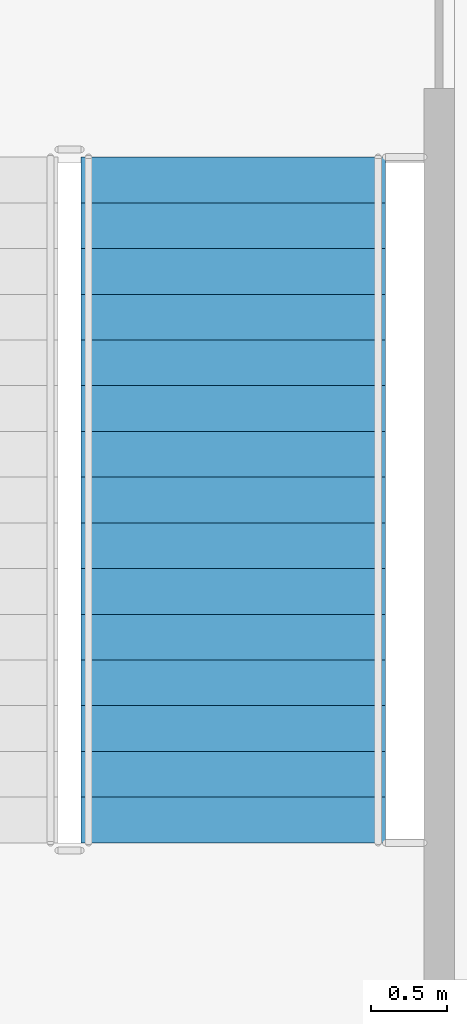
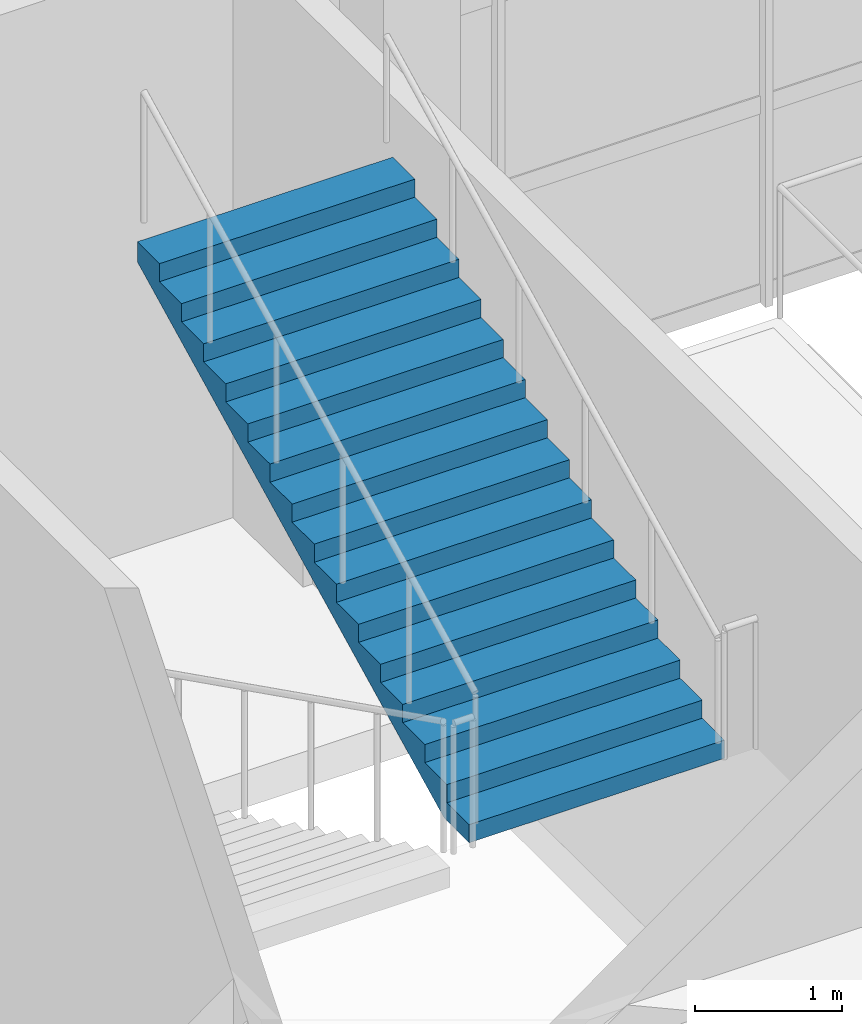
# One storey, part 57 of 67: 1 stair flight, 1 element without a shape of its own.
"""IFC4 building model written with IfcOpenShell, lengths in metres."""

from ifc_helpers import new_model, si_unit, direction, frame, origin, place, context, subcontext, project, spatial, faceted_brep, material, type_object, element, aggregate, save


model = new_model("IFC4")

# Units and contexts
model_context = context("Model", 3, precision=1e-05, world=origin(), true_north=direction((0.0, 1.0)))
body_context = subcontext(model_context, "Body", "Model", "MODEL_VIEW")
ifc_project = project(units=[si_unit("LENGTHUNIT", "METRE"), si_unit("AREAUNIT", "SQUARE_METRE"), si_unit("VOLUMEUNIT", "CUBIC_METRE"), si_unit("PLANEANGLEUNIT", "RADIAN"), si_unit("MASSUNIT", "GRAM", prefix="KILO")], contexts=[model_context])

# Site, building, storey
site_placement = place(None, origin())
site = spatial("IfcSite", under=ifc_project, at=site_placement, CompositionType="ELEMENT")
building_placement = place(site_placement, origin())
building = spatial("IfcBuilding", under=site, at=building_placement, Name="Kiln Court Media Centre", CompositionType="ELEMENT")
storey_placement = place(building_placement, frame((0.0, 0.0, 19.800048828125)))
storey = spatial("IfcBuildingStorey", under=building, at=storey_placement, Name="L04", CompositionType="ELEMENT", Elevation=19.800048828125)

# Stair, stair flight
ifc_material_1 = material(Name="Concrete C40/50", Category="concrete")
stair_type = type_object("IfcStairType", Name="Concrete C40/50 dog-leg stair 2000 wide, 150 riser", PredefinedType="HALF_TURN_STAIR", material=ifc_material_1)
stair_placement = place(storey_placement, origin())
stair = element("IfcStair", 1, at=stair_placement, inside=storey, type_object=stair_type, Name="ST-08 L04", PredefinedType="HALF_TURN_STAIR")
ifc_material_2 = material(Name="Concrete C40/50", Category="concrete")
stair_flight_type = type_object("IfcStairFlightType", Name="Concrete C40/50 stair flight 2000 wide, 150 riser, 300 going", PredefinedType="STRAIGHT", material=ifc_material_2)
stair_flight_placement = place(storey_placement, frame((32.14990234375, 59.89990234375, 2.39990234375), z_axis=(0.0, 0.0, 1.0), x_axis=(0.0, 1.0, 0.0)))
stair_flight = element("IfcStairFlight", 2, at=stair_flight_placement, type_object=stair_flight_type, Name="L04-ST-5005 flight 5011", NumberOfRisers=16, NumberOfTreads=15, PredefinedType="STRAIGHT", RiserHeight=0.15, TreadLength=0.3, context=body_context, shape_type="Brep", body=[
    faceted_brep([(0.335205078125, -1.0, 0.0), (4.5, -1.0, 2.08251953125), (4.5, -1.0, 2.25), (4.199951171875, -1.0, 2.25), (4.199951171875, -1.0, 2.10009765625), (3.89990234375, -1.0, 2.10009765625), (3.89990234375, -1.0, 1.949951171875), (3.60009765625, -1.0, 1.949951171875), (3.60009765625, -1.0, 1.800048828125), (3.300048828125, -1.0, 1.800048828125), (3.300048828125, -1.0, 1.64990234375), (3.0, -1.0, 1.64990234375), (3.0, -1.0, 1.5), (2.699951171875, -1.0, 1.5), (2.699951171875, -1.0, 1.35009765625), (2.39990234375, -1.0, 1.35009765625), (2.39990234375, -1.0, 1.199951171875), (2.10009765625, -1.0, 1.199951171875), (2.10009765625, -1.0, 1.050048828125), (1.800048828125, -1.0, 1.050048828125), (1.800048828125, -1.0, 0.89990234375), (1.5, -1.0, 0.89990234375), (1.5, -1.0, 0.75), (1.199951171875, -1.0, 0.75), (1.199951171875, -1.0, 0.60009765625), (0.89990234375, -1.0, 0.60009765625), (0.89990234375, -1.0, 0.449951171875), (0.60009765625, -1.0, 0.449951171875), (0.60009765625, -1.0, 0.300048828125), (0.300048828125, -1.0, 0.300048828125), (0.300048828125, -1.0, 0.14990234375), (0.0, -1.0, 0.14990234375), (0.0, -1.0, 0.0), (0.0, 1.0, 0.0), (0.0, 1.0, 0.14990234375), (0.300048828125, 1.0, 0.14990234375), (0.300048828125, 1.0, 0.300048828125), (0.60009765625, 1.0, 0.300048828125), (0.60009765625, 1.0, 0.449951171875), (0.89990234375, 1.0, 0.449951171875), (0.89990234375, 1.0, 0.60009765625), (1.199951171875, 1.0, 0.60009765625), (1.199951171875, 1.0, 0.75), (1.5, 1.0, 0.75), (1.5, 1.0, 0.89990234375), (1.800048828125, 1.0, 0.89990234375), (1.800048828125, 1.0, 1.050048828125), (2.10009765625, 1.0, 1.050048828125), (2.10009765625, 1.0, 1.199951171875), (2.39990234375, 1.0, 1.199951171875), (2.39990234375, 1.0, 1.35009765625), (2.699951171875, 1.0, 1.35009765625), (2.699951171875, 1.0, 1.5), (3.0, 1.0, 1.5), (3.0, 1.0, 1.64990234375), (3.300048828125, 1.0, 1.64990234375), (3.300048828125, 1.0, 1.800048828125), (3.60009765625, 1.0, 1.800048828125), (3.60009765625, 1.0, 1.949951171875), (3.89990234375, 1.0, 1.949951171875), (3.89990234375, 1.0, 2.10009765625), (4.199951171875, 1.0, 2.10009765625), (4.199951171875, 1.0, 2.25), (4.5, 1.0, 2.25), (4.5, 1.0, 2.08251953125), (0.335205078125, 1.0, 0.0), (4.5, 0.10009765625, 2.08251953125), (0.335205078125, 0.10009765625, 0.0), (4.5, 0.080078125, 2.08251953125), (0.335205078125, 0.080078125, 0.0), (4.5, 0.06005859375, 2.08251953125), (0.335205078125, 0.06005859375, 0.0), (4.5, 0.0400390625, 2.08251953125), (0.335205078125, 0.0400390625, 0.0), (4.5, 0.02001953125, 2.08251953125), (0.335205078125, 0.02001953125, 0.0), (4.5, 0.0, 2.08251953125), (0.335205078125, 0.0, 0.0), (4.5, -0.02001953125, 2.08251953125), (0.335205078125, -0.02001953125, 0.0), (4.5, -0.0400390625, 2.08251953125), (0.335205078125, -0.0400390625, 0.0), (4.5, -0.06005859375, 2.08251953125), (0.335205078125, -0.06005859375, 0.0), (4.5, -0.080078125, 2.08251953125), (0.335205078125, -0.080078125, 0.0), (4.5, -0.10009765625, 2.08251953125), (0.335205078125, -0.10009765625, 0.0), (4.5, 0.10009765625, 2.25), (4.5, 0.080078125, 2.25), (4.5, 0.06005859375, 2.25), (4.5, 0.0400390625, 2.25), (4.5, 0.02001953125, 2.25), (4.5, 0.0, 2.25), (4.5, -0.02001953125, 2.25), (4.5, -0.0400390625, 2.25), (4.5, -0.06005859375, 2.25), (4.5, -0.080078125, 2.25), (4.5, -0.10009765625, 2.25), (4.199951171875, 0.10009765625, 2.25), (4.199951171875, 0.080078125, 2.25), (4.199951171875, 0.06005859375, 2.25), (4.199951171875, 0.0400390625, 2.25), (4.199951171875, 0.02001953125, 2.25), (4.199951171875, 0.0, 2.25), (4.199951171875, -0.02001953125, 2.25), (4.199951171875, -0.0400390625, 2.25), (4.199951171875, -0.06005859375, 2.25), (4.199951171875, -0.080078125, 2.25), (4.199951171875, -0.10009765625, 2.25), (4.199951171875, 0.10009765625, 2.10009765625), (4.199951171875, 0.080078125, 2.10009765625), (4.199951171875, 0.06005859375, 2.10009765625), (4.199951171875, 0.0400390625, 2.10009765625), (4.199951171875, 0.02001953125, 2.10009765625), (4.199951171875, 0.0, 2.10009765625), (4.199951171875, -0.02001953125, 2.10009765625), (4.199951171875, -0.0400390625, 2.10009765625), (4.199951171875, -0.06005859375, 2.10009765625), (4.199951171875, -0.080078125, 2.10009765625), (4.199951171875, -0.10009765625, 2.10009765625), (3.89990234375, 0.10009765625, 2.10009765625), (3.89990234375, 0.080078125, 2.10009765625), (3.89990234375, 0.06005859375, 2.10009765625), (3.89990234375, 0.0400390625, 2.10009765625), (3.89990234375, 0.02001953125, 2.10009765625), (3.89990234375, 0.0, 2.10009765625), (3.89990234375, -0.02001953125, 2.10009765625), (3.89990234375, -0.0400390625, 2.10009765625), (3.89990234375, -0.06005859375, 2.10009765625), (3.89990234375, -0.080078125, 2.10009765625), (3.89990234375, -0.10009765625, 2.10009765625), (3.89990234375, 0.10009765625, 1.949951171875), (3.89990234375, 0.080078125, 1.949951171875), (3.89990234375, 0.06005859375, 1.949951171875), (3.89990234375, 0.0400390625, 1.949951171875), (3.89990234375, 0.02001953125, 1.949951171875), (3.89990234375, 0.0, 1.949951171875), (3.89990234375, -0.02001953125, 1.949951171875), (3.89990234375, -0.0400390625, 1.949951171875), (3.89990234375, -0.06005859375, 1.949951171875), (3.89990234375, -0.080078125, 1.949951171875), (3.89990234375, -0.10009765625, 1.949951171875), (3.60009765625, 0.10009765625, 1.949951171875), (3.60009765625, 0.080078125, 1.949951171875), (3.60009765625, 0.06005859375, 1.949951171875), (3.60009765625, 0.0400390625, 1.949951171875), (3.60009765625, 0.02001953125, 1.949951171875), (3.60009765625, 0.0, 1.949951171875), (3.60009765625, -0.02001953125, 1.949951171875), (3.60009765625, -0.0400390625, 1.949951171875), (3.60009765625, -0.06005859375, 1.949951171875), (3.60009765625, -0.080078125, 1.949951171875), (3.60009765625, -0.10009765625, 1.949951171875), (3.60009765625, 0.10009765625, 1.800048828125), (3.60009765625, 0.080078125, 1.800048828125), (3.60009765625, 0.06005859375, 1.800048828125), (3.60009765625, 0.0400390625, 1.800048828125), (3.60009765625, 0.02001953125, 1.800048828125), (3.60009765625, 0.0, 1.800048828125), (3.60009765625, -0.02001953125, 1.800048828125), (3.60009765625, -0.0400390625, 1.800048828125), (3.60009765625, -0.06005859375, 1.800048828125), (3.60009765625, -0.080078125, 1.800048828125), (3.60009765625, -0.10009765625, 1.800048828125), (3.300048828125, 0.10009765625, 1.800048828125), (3.300048828125, 0.080078125, 1.800048828125), (3.300048828125, 0.06005859375, 1.800048828125), (3.300048828125, 0.0400390625, 1.800048828125), (3.300048828125, 0.02001953125, 1.800048828125), (3.300048828125, 0.0, 1.800048828125), (3.300048828125, -0.02001953125, 1.800048828125), (3.300048828125, -0.0400390625, 1.800048828125), (3.300048828125, -0.06005859375, 1.800048828125), (3.300048828125, -0.080078125, 1.800048828125), (3.300048828125, -0.10009765625, 1.800048828125), (3.300048828125, 0.10009765625, 1.64990234375), (3.300048828125, 0.080078125, 1.64990234375), (3.300048828125, 0.06005859375, 1.64990234375), (3.300048828125, 0.0400390625, 1.64990234375), (3.300048828125, 0.02001953125, 1.64990234375), (3.300048828125, 0.0, 1.64990234375), (3.300048828125, -0.02001953125, 1.64990234375), (3.300048828125, -0.0400390625, 1.64990234375), (3.300048828125, -0.06005859375, 1.64990234375), (3.300048828125, -0.080078125, 1.64990234375), (3.300048828125, -0.10009765625, 1.64990234375), (3.0, 0.10009765625, 1.64990234375), (3.0, 0.080078125, 1.64990234375), (3.0, 0.06005859375, 1.64990234375), (3.0, 0.0400390625, 1.64990234375), (3.0, 0.02001953125, 1.64990234375), (3.0, 0.0, 1.64990234375), (3.0, -0.02001953125, 1.64990234375), (3.0, -0.0400390625, 1.64990234375), (3.0, -0.06005859375, 1.64990234375), (3.0, -0.080078125, 1.64990234375), (3.0, -0.10009765625, 1.64990234375), (3.0, 0.10009765625, 1.5), (3.0, 0.080078125, 1.5), (3.0, 0.06005859375, 1.5), (3.0, 0.0400390625, 1.5), (3.0, 0.02001953125, 1.5), (3.0, 0.0, 1.5), (3.0, -0.02001953125, 1.5), (3.0, -0.0400390625, 1.5), (3.0, -0.06005859375, 1.5), (3.0, -0.080078125, 1.5), (3.0, -0.10009765625, 1.5), (2.699951171875, 0.10009765625, 1.5), (2.699951171875, 0.080078125, 1.5), (2.699951171875, 0.06005859375, 1.5), (2.699951171875, 0.0400390625, 1.5), (2.699951171875, 0.02001953125, 1.5), (2.699951171875, 0.0, 1.5), (2.699951171875, -0.02001953125, 1.5), (2.699951171875, -0.0400390625, 1.5), (2.699951171875, -0.06005859375, 1.5), (2.699951171875, -0.080078125, 1.5), (2.699951171875, -0.10009765625, 1.5), (2.699951171875, 0.10009765625, 1.35009765625), (2.699951171875, 0.080078125, 1.35009765625), (2.699951171875, 0.06005859375, 1.35009765625), (2.699951171875, 0.0400390625, 1.35009765625), (2.699951171875, 0.02001953125, 1.35009765625), (2.699951171875, 0.0, 1.35009765625), (2.699951171875, -0.02001953125, 1.35009765625), (2.699951171875, -0.0400390625, 1.35009765625), (2.699951171875, -0.06005859375, 1.35009765625), (2.699951171875, -0.080078125, 1.35009765625), (2.699951171875, -0.10009765625, 1.35009765625), (2.39990234375, 0.10009765625, 1.35009765625), (2.39990234375, 0.080078125, 1.35009765625), (2.39990234375, 0.06005859375, 1.35009765625), (2.39990234375, 0.0400390625, 1.35009765625), (2.39990234375, 0.02001953125, 1.35009765625), (2.39990234375, 0.0, 1.35009765625), (2.39990234375, -0.02001953125, 1.35009765625), (2.39990234375, -0.0400390625, 1.35009765625), (2.39990234375, -0.06005859375, 1.35009765625), (2.39990234375, -0.080078125, 1.35009765625), (2.39990234375, -0.10009765625, 1.35009765625), (2.39990234375, 0.10009765625, 1.199951171875), (2.39990234375, 0.080078125, 1.199951171875), (2.39990234375, 0.06005859375, 1.199951171875), (2.39990234375, 0.0400390625, 1.199951171875), (2.39990234375, 0.02001953125, 1.199951171875), (2.39990234375, 0.0, 1.199951171875), (2.39990234375, -0.02001953125, 1.199951171875), (2.39990234375, -0.0400390625, 1.199951171875), (2.39990234375, -0.06005859375, 1.199951171875), (2.39990234375, -0.080078125, 1.199951171875), (2.39990234375, -0.10009765625, 1.199951171875), (2.10009765625, 0.10009765625, 1.199951171875), (2.10009765625, 0.080078125, 1.199951171875), (2.10009765625, 0.06005859375, 1.199951171875), (2.10009765625, 0.0400390625, 1.199951171875), (2.10009765625, 0.02001953125, 1.199951171875), (2.10009765625, 0.0, 1.199951171875), (2.10009765625, -0.02001953125, 1.199951171875), (2.10009765625, -0.0400390625, 1.199951171875), (2.10009765625, -0.06005859375, 1.199951171875), (2.10009765625, -0.080078125, 1.199951171875), (2.10009765625, -0.10009765625, 1.199951171875), (2.10009765625, 0.10009765625, 1.050048828125), (2.10009765625, 0.080078125, 1.050048828125), (2.10009765625, 0.06005859375, 1.050048828125), (2.10009765625, 0.0400390625, 1.050048828125), (2.10009765625, 0.02001953125, 1.050048828125), (2.10009765625, 0.0, 1.050048828125), (2.10009765625, -0.02001953125, 1.050048828125), (2.10009765625, -0.0400390625, 1.050048828125), (2.10009765625, -0.06005859375, 1.050048828125), (2.10009765625, -0.080078125, 1.050048828125), (2.10009765625, -0.10009765625, 1.050048828125), (1.800048828125, 0.10009765625, 1.050048828125), (1.800048828125, 0.080078125, 1.050048828125), (1.800048828125, 0.06005859375, 1.050048828125), (1.800048828125, 0.0400390625, 1.050048828125), (1.800048828125, 0.02001953125, 1.050048828125), (1.800048828125, 0.0, 1.050048828125), (1.800048828125, -0.02001953125, 1.050048828125), (1.800048828125, -0.0400390625, 1.050048828125), (1.800048828125, -0.06005859375, 1.050048828125), (1.800048828125, -0.080078125, 1.050048828125), (1.800048828125, -0.10009765625, 1.050048828125), (1.800048828125, 0.10009765625, 0.89990234375), (1.800048828125, 0.080078125, 0.89990234375), (1.800048828125, 0.06005859375, 0.89990234375), (1.800048828125, 0.0400390625, 0.89990234375), (1.800048828125, 0.02001953125, 0.89990234375), (1.800048828125, 0.0, 0.89990234375), (1.800048828125, -0.02001953125, 0.89990234375), (1.800048828125, -0.0400390625, 0.89990234375), (1.800048828125, -0.06005859375, 0.89990234375), (1.800048828125, -0.080078125, 0.89990234375), (1.800048828125, -0.10009765625, 0.89990234375), (1.5, 0.10009765625, 0.89990234375), (1.5, 0.080078125, 0.89990234375), (1.5, 0.06005859375, 0.89990234375), (1.5, 0.0400390625, 0.89990234375), (1.5, 0.02001953125, 0.89990234375), (1.5, 0.0, 0.89990234375), (1.5, -0.02001953125, 0.89990234375), (1.5, -0.0400390625, 0.89990234375), (1.5, -0.06005859375, 0.89990234375), (1.5, -0.080078125, 0.89990234375), (1.5, -0.10009765625, 0.89990234375), (1.5, 0.10009765625, 0.75), (1.5, 0.080078125, 0.75), (1.5, 0.06005859375, 0.75), (1.5, 0.0400390625, 0.75), (1.5, 0.02001953125, 0.75), (1.5, 0.0, 0.75), (1.5, -0.02001953125, 0.75), (1.5, -0.0400390625, 0.75), (1.5, -0.06005859375, 0.75), (1.5, -0.080078125, 0.75), (1.5, -0.10009765625, 0.75), (1.199951171875, 0.10009765625, 0.75), (1.199951171875, 0.080078125, 0.75), (1.199951171875, 0.06005859375, 0.75), (1.199951171875, 0.0400390625, 0.75), (1.199951171875, 0.02001953125, 0.75), (1.199951171875, 0.0, 0.75), (1.199951171875, -0.02001953125, 0.75), (1.199951171875, -0.0400390625, 0.75), (1.199951171875, -0.06005859375, 0.75), (1.199951171875, -0.080078125, 0.75), (1.199951171875, -0.10009765625, 0.75), (1.199951171875, 0.10009765625, 0.60009765625), (1.199951171875, 0.080078125, 0.60009765625), (1.199951171875, 0.06005859375, 0.60009765625), (1.199951171875, 0.0400390625, 0.60009765625), (1.199951171875, 0.02001953125, 0.60009765625), (1.199951171875, 0.0, 0.60009765625), (1.199951171875, -0.02001953125, 0.60009765625), (1.199951171875, -0.0400390625, 0.60009765625), (1.199951171875, -0.06005859375, 0.60009765625), (1.199951171875, -0.080078125, 0.60009765625), (1.199951171875, -0.10009765625, 0.60009765625), (0.89990234375, 0.10009765625, 0.60009765625), (0.89990234375, 0.080078125, 0.60009765625), (0.89990234375, 0.06005859375, 0.60009765625), (0.89990234375, 0.0400390625, 0.60009765625), (0.89990234375, 0.02001953125, 0.60009765625), (0.89990234375, 0.0, 0.60009765625), (0.89990234375, -0.02001953125, 0.60009765625), (0.89990234375, -0.0400390625, 0.60009765625), (0.89990234375, -0.06005859375, 0.60009765625), (0.89990234375, -0.080078125, 0.60009765625), (0.89990234375, -0.10009765625, 0.60009765625), (0.89990234375, 0.10009765625, 0.449951171875), (0.89990234375, 0.080078125, 0.449951171875), (0.89990234375, 0.06005859375, 0.449951171875), (0.89990234375, 0.0400390625, 0.449951171875), (0.89990234375, 0.02001953125, 0.449951171875), (0.89990234375, 0.0, 0.449951171875), (0.89990234375, -0.02001953125, 0.449951171875), (0.89990234375, -0.0400390625, 0.449951171875), (0.89990234375, -0.06005859375, 0.449951171875), (0.89990234375, -0.080078125, 0.449951171875), (0.89990234375, -0.10009765625, 0.449951171875), (0.60009765625, 0.10009765625, 0.449951171875), (0.60009765625, 0.080078125, 0.449951171875), (0.60009765625, 0.06005859375, 0.449951171875), (0.60009765625, 0.0400390625, 0.449951171875), (0.60009765625, 0.02001953125, 0.449951171875), (0.60009765625, 0.0, 0.449951171875), (0.60009765625, -0.02001953125, 0.449951171875), (0.60009765625, -0.0400390625, 0.449951171875), (0.60009765625, -0.06005859375, 0.449951171875), (0.60009765625, -0.080078125, 0.449951171875), (0.60009765625, -0.10009765625, 0.449951171875), (0.60009765625, 0.10009765625, 0.300048828125), (0.60009765625, 0.080078125, 0.300048828125), (0.60009765625, 0.06005859375, 0.300048828125), (0.60009765625, 0.0400390625, 0.300048828125), (0.60009765625, 0.02001953125, 0.300048828125), (0.60009765625, 0.0, 0.300048828125), (0.60009765625, -0.02001953125, 0.300048828125), (0.60009765625, -0.0400390625, 0.300048828125), (0.60009765625, -0.06005859375, 0.300048828125), (0.60009765625, -0.080078125, 0.300048828125), (0.60009765625, -0.10009765625, 0.300048828125), (0.300048828125, 0.10009765625, 0.300048828125), (0.300048828125, 0.080078125, 0.300048828125), (0.300048828125, 0.06005859375, 0.300048828125), (0.300048828125, 0.0400390625, 0.300048828125), (0.300048828125, 0.02001953125, 0.300048828125), (0.300048828125, 0.0, 0.300048828125), (0.300048828125, -0.02001953125, 0.300048828125), (0.300048828125, -0.0400390625, 0.300048828125), (0.300048828125, -0.06005859375, 0.300048828125), (0.300048828125, -0.080078125, 0.300048828125), (0.300048828125, -0.10009765625, 0.300048828125), (0.300048828125, 0.10009765625, 0.14990234375), (0.300048828125, 0.080078125, 0.14990234375), (0.300048828125, 0.06005859375, 0.14990234375), (0.300048828125, 0.0400390625, 0.14990234375), (0.300048828125, 0.02001953125, 0.14990234375), (0.300048828125, 0.0, 0.14990234375), (0.300048828125, -0.02001953125, 0.14990234375), (0.300048828125, -0.0400390625, 0.14990234375), (0.300048828125, -0.06005859375, 0.14990234375), (0.300048828125, -0.080078125, 0.14990234375), (0.300048828125, -0.10009765625, 0.14990234375), (0.0, 0.10009765625, 0.14990234375), (0.0, 0.080078125, 0.14990234375), (0.0, 0.06005859375, 0.14990234375), (0.0, 0.0400390625, 0.14990234375), (0.0, 0.02001953125, 0.14990234375), (0.0, 0.0, 0.14990234375), (0.0, -0.02001953125, 0.14990234375), (0.0, -0.0400390625, 0.14990234375), (0.0, -0.06005859375, 0.14990234375), (0.0, -0.080078125, 0.14990234375), (0.0, -0.10009765625, 0.14990234375), (0.0, 0.10009765625, 0.0), (0.0, 0.080078125, 0.0), (0.0, 0.06005859375, 0.0), (0.0, 0.0400390625, 0.0), (0.0, 0.02001953125, 0.0), (0.0, 0.0, 0.0), (0.0, -0.02001953125, 0.0), (0.0, -0.0400390625, 0.0), (0.0, -0.06005859375, 0.0), (0.0, -0.080078125, 0.0), (0.0, -0.10009765625, 0.0)], [[[0, 1, 2, 3, 4, 5, 6, 7, 8, 9, 10, 11, 12, 13, 14, 15, 16, 17, 18, 19, 20, 21, 22, 23, 24, 25, 26, 27, 28, 29, 30, 31, 32]], [[33, 34, 35, 36, 37, 38, 39, 40, 41, 42, 43, 44, 45, 46, 47, 48, 49, 50, 51, 52, 53, 54, 55, 56, 57, 58, 59, 60, 61, 62, 63, 64, 65]], [[65, 64, 66, 67]], [[67, 66, 68, 69]], [[69, 68, 70, 71]], [[71, 70, 72, 73]], [[73, 72, 74, 75]], [[75, 74, 76, 77]], [[77, 76, 78, 79]], [[79, 78, 80, 81]], [[81, 80, 82, 83]], [[83, 82, 84, 85]], [[85, 84, 86, 87]], [[87, 86, 1, 0]], [[64, 63, 88, 66]], [[66, 88, 89, 68]], [[68, 89, 90, 70]], [[70, 90, 91, 72]], [[72, 91, 92, 74]], [[74, 92, 93, 76]], [[76, 93, 94, 78]], [[78, 94, 95, 80]], [[80, 95, 96, 82]], [[82, 96, 97, 84]], [[84, 97, 98, 86]], [[86, 98, 2, 1]], [[63, 62, 99, 88]], [[88, 99, 100, 89]], [[89, 100, 101, 90]], [[90, 101, 102, 91]], [[91, 102, 103, 92]], [[92, 103, 104, 93]], [[93, 104, 105, 94]], [[94, 105, 106, 95]], [[95, 106, 107, 96]], [[96, 107, 108, 97]], [[97, 108, 109, 98]], [[98, 109, 3, 2]], [[62, 61, 110, 99]], [[99, 110, 111, 100]], [[100, 111, 112, 101]], [[101, 112, 113, 102]], [[102, 113, 114, 103]], [[103, 114, 115, 104]], [[104, 115, 116, 105]], [[105, 116, 117, 106]], [[106, 117, 118, 107]], [[107, 118, 119, 108]], [[108, 119, 120, 109]], [[109, 120, 4, 3]], [[61, 60, 121, 110]], [[110, 121, 122, 111]], [[111, 122, 123, 112]], [[112, 123, 124, 113]], [[113, 124, 125, 114]], [[114, 125, 126, 115]], [[115, 126, 127, 116]], [[116, 127, 128, 117]], [[117, 128, 129, 118]], [[118, 129, 130, 119]], [[119, 130, 131, 120]], [[120, 131, 5, 4]], [[60, 59, 132, 121]], [[121, 132, 133, 122]], [[122, 133, 134, 123]], [[123, 134, 135, 124]], [[124, 135, 136, 125]], [[125, 136, 137, 126]], [[126, 137, 138, 127]], [[127, 138, 139, 128]], [[128, 139, 140, 129]], [[129, 140, 141, 130]], [[130, 141, 142, 131]], [[131, 142, 6, 5]], [[59, 58, 143, 132]], [[132, 143, 144, 133]], [[133, 144, 145, 134]], [[134, 145, 146, 135]], [[135, 146, 147, 136]], [[136, 147, 148, 137]], [[137, 148, 149, 138]], [[138, 149, 150, 139]], [[139, 150, 151, 140]], [[140, 151, 152, 141]], [[141, 152, 153, 142]], [[142, 153, 7, 6]], [[58, 57, 154, 143]], [[143, 154, 155, 144]], [[144, 155, 156, 145]], [[145, 156, 157, 146]], [[146, 157, 158, 147]], [[147, 158, 159, 148]], [[148, 159, 160, 149]], [[149, 160, 161, 150]], [[150, 161, 162, 151]], [[151, 162, 163, 152]], [[152, 163, 164, 153]], [[153, 164, 8, 7]], [[57, 56, 165, 154]], [[154, 165, 166, 155]], [[155, 166, 167, 156]], [[156, 167, 168, 157]], [[157, 168, 169, 158]], [[158, 169, 170, 159]], [[159, 170, 171, 160]], [[160, 171, 172, 161]], [[161, 172, 173, 162]], [[162, 173, 174, 163]], [[163, 174, 175, 164]], [[164, 175, 9, 8]], [[56, 55, 176, 165]], [[165, 176, 177, 166]], [[166, 177, 178, 167]], [[167, 178, 179, 168]], [[168, 179, 180, 169]], [[169, 180, 181, 170]], [[170, 181, 182, 171]], [[171, 182, 183, 172]], [[172, 183, 184, 173]], [[173, 184, 185, 174]], [[174, 185, 186, 175]], [[175, 186, 10, 9]], [[55, 54, 187, 176]], [[176, 187, 188, 177]], [[177, 188, 189, 178]], [[178, 189, 190, 179]], [[179, 190, 191, 180]], [[180, 191, 192, 181]], [[181, 192, 193, 182]], [[182, 193, 194, 183]], [[183, 194, 195, 184]], [[184, 195, 196, 185]], [[185, 196, 197, 186]], [[186, 197, 11, 10]], [[54, 53, 198, 187]], [[187, 198, 199, 188]], [[188, 199, 200, 189]], [[189, 200, 201, 190]], [[190, 201, 202, 191]], [[191, 202, 203, 192]], [[192, 203, 204, 193]], [[193, 204, 205, 194]], [[194, 205, 206, 195]], [[195, 206, 207, 196]], [[196, 207, 208, 197]], [[197, 208, 12, 11]], [[53, 52, 209, 198]], [[198, 209, 210, 199]], [[199, 210, 211, 200]], [[200, 211, 212, 201]], [[201, 212, 213, 202]], [[202, 213, 214, 203]], [[203, 214, 215, 204]], [[204, 215, 216, 205]], [[205, 216, 217, 206]], [[206, 217, 218, 207]], [[207, 218, 219, 208]], [[208, 219, 13, 12]], [[52, 51, 220, 209]], [[209, 220, 221, 210]], [[210, 221, 222, 211]], [[211, 222, 223, 212]], [[212, 223, 224, 213]], [[213, 224, 225, 214]], [[214, 225, 226, 215]], [[215, 226, 227, 216]], [[216, 227, 228, 217]], [[217, 228, 229, 218]], [[218, 229, 230, 219]], [[219, 230, 14, 13]], [[51, 50, 231, 220]], [[220, 231, 232, 221]], [[221, 232, 233, 222]], [[222, 233, 234, 223]], [[223, 234, 235, 224]], [[224, 235, 236, 225]], [[225, 236, 237, 226]], [[226, 237, 238, 227]], [[227, 238, 239, 228]], [[228, 239, 240, 229]], [[229, 240, 241, 230]], [[230, 241, 15, 14]], [[50, 49, 242, 231]], [[231, 242, 243, 232]], [[232, 243, 244, 233]], [[233, 244, 245, 234]], [[234, 245, 246, 235]], [[235, 246, 247, 236]], [[236, 247, 248, 237]], [[237, 248, 249, 238]], [[238, 249, 250, 239]], [[239, 250, 251, 240]], [[240, 251, 252, 241]], [[241, 252, 16, 15]], [[49, 48, 253, 242]], [[242, 253, 254, 243]], [[243, 254, 255, 244]], [[244, 255, 256, 245]], [[245, 256, 257, 246]], [[246, 257, 258, 247]], [[247, 258, 259, 248]], [[248, 259, 260, 249]], [[249, 260, 261, 250]], [[250, 261, 262, 251]], [[251, 262, 263, 252]], [[252, 263, 17, 16]], [[48, 47, 264, 253]], [[253, 264, 265, 254]], [[254, 265, 266, 255]], [[255, 266, 267, 256]], [[256, 267, 268, 257]], [[257, 268, 269, 258]], [[258, 269, 270, 259]], [[259, 270, 271, 260]], [[260, 271, 272, 261]], [[261, 272, 273, 262]], [[262, 273, 274, 263]], [[263, 274, 18, 17]], [[47, 46, 275, 264]], [[264, 275, 276, 265]], [[265, 276, 277, 266]], [[266, 277, 278, 267]], [[267, 278, 279, 268]], [[268, 279, 280, 269]], [[269, 280, 281, 270]], [[270, 281, 282, 271]], [[271, 282, 283, 272]], [[272, 283, 284, 273]], [[273, 284, 285, 274]], [[274, 285, 19, 18]], [[46, 45, 286, 275]], [[275, 286, 287, 276]], [[276, 287, 288, 277]], [[277, 288, 289, 278]], [[278, 289, 290, 279]], [[279, 290, 291, 280]], [[280, 291, 292, 281]], [[281, 292, 293, 282]], [[282, 293, 294, 283]], [[283, 294, 295, 284]], [[284, 295, 296, 285]], [[285, 296, 20, 19]], [[45, 44, 297, 286]], [[286, 297, 298, 287]], [[287, 298, 299, 288]], [[288, 299, 300, 289]], [[289, 300, 301, 290]], [[290, 301, 302, 291]], [[291, 302, 303, 292]], [[292, 303, 304, 293]], [[293, 304, 305, 294]], [[294, 305, 306, 295]], [[295, 306, 307, 296]], [[296, 307, 21, 20]], [[44, 43, 308, 297]], [[297, 308, 309, 298]], [[298, 309, 310, 299]], [[299, 310, 311, 300]], [[300, 311, 312, 301]], [[301, 312, 313, 302]], [[302, 313, 314, 303]], [[303, 314, 315, 304]], [[304, 315, 316, 305]], [[305, 316, 317, 306]], [[306, 317, 318, 307]], [[307, 318, 22, 21]], [[43, 42, 319, 308]], [[308, 319, 320, 309]], [[309, 320, 321, 310]], [[310, 321, 322, 311]], [[311, 322, 323, 312]], [[312, 323, 324, 313]], [[313, 324, 325, 314]], [[314, 325, 326, 315]], [[315, 326, 327, 316]], [[316, 327, 328, 317]], [[317, 328, 329, 318]], [[318, 329, 23, 22]], [[42, 41, 330, 319]], [[319, 330, 331, 320]], [[320, 331, 332, 321]], [[321, 332, 333, 322]], [[322, 333, 334, 323]], [[323, 334, 335, 324]], [[324, 335, 336, 325]], [[325, 336, 337, 326]], [[326, 337, 338, 327]], [[327, 338, 339, 328]], [[328, 339, 340, 329]], [[329, 340, 24, 23]], [[41, 40, 341, 330]], [[330, 341, 342, 331]], [[331, 342, 343, 332]], [[332, 343, 344, 333]], [[333, 344, 345, 334]], [[334, 345, 346, 335]], [[335, 346, 347, 336]], [[336, 347, 348, 337]], [[337, 348, 349, 338]], [[338, 349, 350, 339]], [[339, 350, 351, 340]], [[340, 351, 25, 24]], [[40, 39, 352, 341]], [[341, 352, 353, 342]], [[342, 353, 354, 343]], [[343, 354, 355, 344]], [[344, 355, 356, 345]], [[345, 356, 357, 346]], [[346, 357, 358, 347]], [[347, 358, 359, 348]], [[348, 359, 360, 349]], [[349, 360, 361, 350]], [[350, 361, 362, 351]], [[351, 362, 26, 25]], [[39, 38, 363, 352]], [[352, 363, 364, 353]], [[353, 364, 365, 354]], [[354, 365, 366, 355]], [[355, 366, 367, 356]], [[356, 367, 368, 357]], [[357, 368, 369, 358]], [[358, 369, 370, 359]], [[359, 370, 371, 360]], [[360, 371, 372, 361]], [[361, 372, 373, 362]], [[362, 373, 27, 26]], [[38, 37, 374, 363]], [[363, 374, 375, 364]], [[364, 375, 376, 365]], [[365, 376, 377, 366]], [[366, 377, 378, 367]], [[367, 378, 379, 368]], [[368, 379, 380, 369]], [[369, 380, 381, 370]], [[370, 381, 382, 371]], [[371, 382, 383, 372]], [[372, 383, 384, 373]], [[373, 384, 28, 27]], [[37, 36, 385, 374]], [[374, 385, 386, 375]], [[375, 386, 387, 376]], [[376, 387, 388, 377]], [[377, 388, 389, 378]], [[378, 389, 390, 379]], [[379, 390, 391, 380]], [[380, 391, 392, 381]], [[381, 392, 393, 382]], [[382, 393, 394, 383]], [[383, 394, 395, 384]], [[384, 395, 29, 28]], [[36, 35, 396, 385]], [[385, 396, 397, 386]], [[386, 397, 398, 387]], [[387, 398, 399, 388]], [[388, 399, 400, 389]], [[389, 400, 401, 390]], [[390, 401, 402, 391]], [[391, 402, 403, 392]], [[392, 403, 404, 393]], [[393, 404, 405, 394]], [[394, 405, 406, 395]], [[395, 406, 30, 29]], [[35, 34, 407, 396]], [[396, 407, 408, 397]], [[397, 408, 409, 398]], [[398, 409, 410, 399]], [[399, 410, 411, 400]], [[400, 411, 412, 401]], [[401, 412, 413, 402]], [[402, 413, 414, 403]], [[403, 414, 415, 404]], [[404, 415, 416, 405]], [[405, 416, 417, 406]], [[406, 417, 31, 30]], [[34, 33, 418, 407]], [[407, 418, 419, 408]], [[408, 419, 420, 409]], [[409, 420, 421, 410]], [[410, 421, 422, 411]], [[411, 422, 423, 412]], [[412, 423, 424, 413]], [[413, 424, 425, 414]], [[414, 425, 426, 415]], [[415, 426, 427, 416]], [[416, 427, 428, 417]], [[417, 428, 32, 31]], [[33, 65, 67, 418]], [[418, 67, 69, 419]], [[419, 69, 71, 420]], [[420, 71, 73, 421]], [[421, 73, 75, 422]], [[422, 75, 77, 423]], [[423, 77, 79, 424]], [[424, 79, 81, 425]], [[425, 81, 83, 426]], [[426, 83, 85, 427]], [[427, 85, 87, 428]], [[428, 87, 0, 32]]]),
])
aggregate(stair, [stair_flight])

save(model, "model.ifc")
